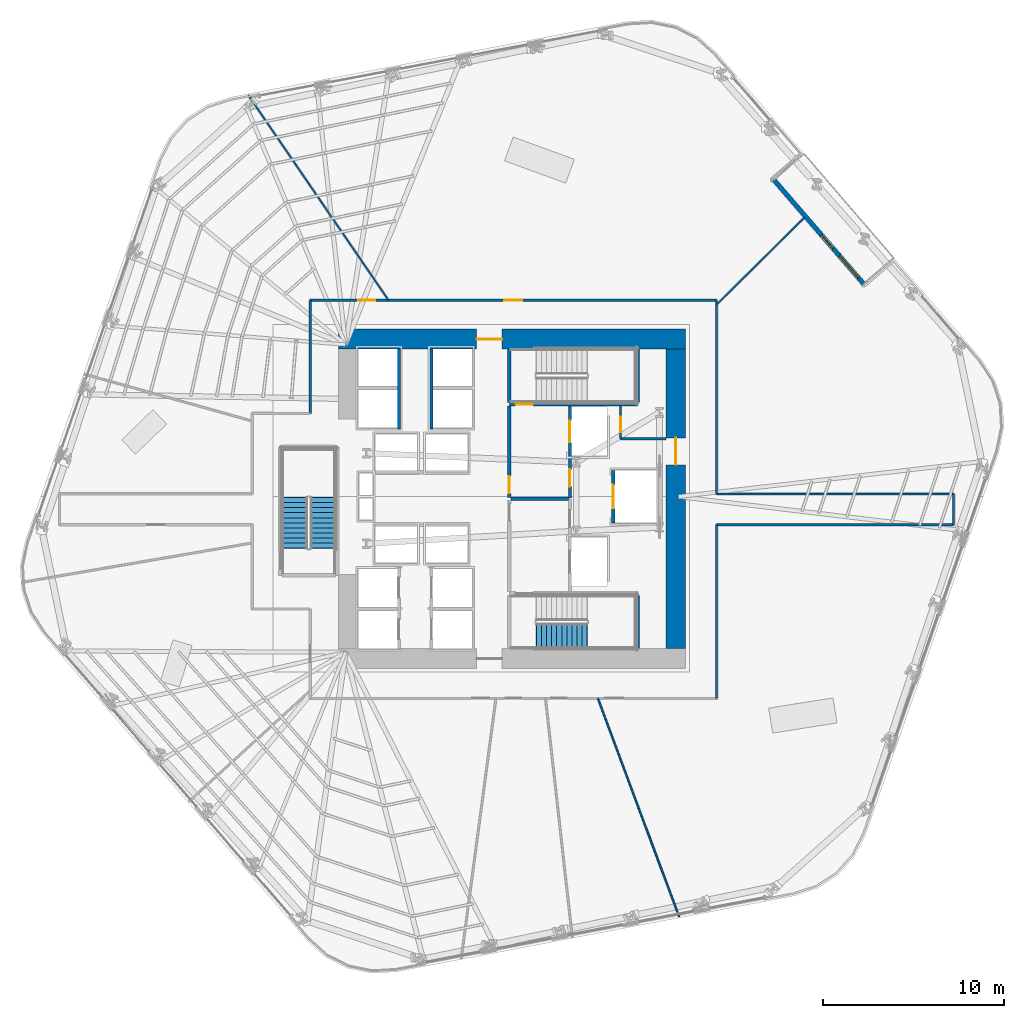
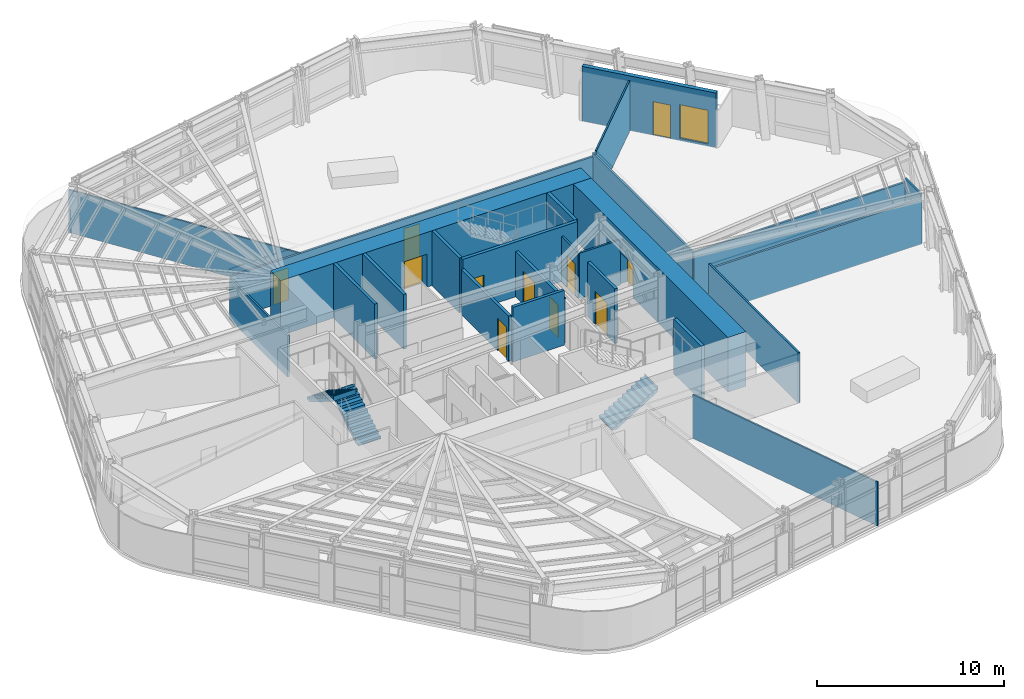
# One storey, part 10 of 18: 25 walls, 11 doors, 3 stair flights, 1 window, 12 openings, 2 elements without a shape of their own.
"""IFC4 building model written with IfcOpenShell, lengths in metres."""

from ifc_helpers import new_model, si_unit, direction, frame, frame_2d, origin, place, context, subcontext, project, spatial, polyline, rectangle, outline, extrude, material, layer, layer_set, type_object, element, fill, aggregate, save


model = new_model("IFC4")

# Units and contexts
model_context = context("Model", 3, precision=1e-05, world=origin(), true_north=direction((0.0, 1.0)))
body_context = subcontext(model_context, "Body", "Model", "MODEL_VIEW")
ifc_project = project(units=[si_unit("LENGTHUNIT", "METRE"), si_unit("AREAUNIT", "SQUARE_METRE"), si_unit("VOLUMEUNIT", "CUBIC_METRE"), si_unit("PLANEANGLEUNIT", "RADIAN"), si_unit("MASSUNIT", "GRAM", prefix="KILO")], contexts=[model_context])

# Site, building, storey
site_placement = place(None, origin())
site = spatial("IfcSite", under=ifc_project, at=site_placement, CompositionType="ELEMENT")
building_placement = place(site_placement, origin())
building = spatial("IfcBuilding", under=site, at=building_placement, Name="Valkerne Bourse Tower", CompositionType="ELEMENT")
storey_placement = place(building_placement, frame((0.0, 0.0, 69.60009765625)))
storey = spatial("IfcBuildingStorey", under=building, at=storey_placement, Name="L17", CompositionType="ELEMENT", Elevation=69.60009765625)

# Wall, opening, door
ifc_material_1 = material(Name="Concrete C70/85", Category="concrete")
ifc_layer_1 = layer(ifc_material_1, 1.10009765625)
ifc_layer_set_1 = layer_set([ifc_layer_1], Name="Concrete C70/85")
wall_type_1 = type_object("IfcWallType", Name="W-CORE-1100", PredefinedType="SHEAR", material=ifc_layer_set_1)
wall_1_placement = place(storey_placement, frame((37.199951171875, 35.699951171875, 0.0), z_axis=(0.0, 0.0, 1.0), x_axis=(1.0, 0.0, 0.0)))
wall_1 = element("IfcWall", 1, at=wall_1_placement, inside=storey, type_object=wall_type_1, Name="L17 Core Shear Wall NORTH", PredefinedType="SHEAR", context=body_context, shape_type="SweptSolid", body=[
    extrude(rectangle(XDim=19.199951171875, YDim=1.10009765625, at=frame_2d((9.60009765625, 0.0))), origin(), (0.0, 0.0, 1.0), 3.579833984375),
])
opening_1_placement = place(wall_1_placement, frame((7.64990234375, 0.0, 0.0)))
opening_1 = element("IfcOpeningElement", 2, at=opening_1_placement, cuts=wall_1, Name="Opening D-PL-1400", PredefinedType="OPENING", context=body_context, shape_type="SweptSolid", body=[
    extrude(rectangle(XDim=1.39990234375, YDim=2.14990234375, at=frame_2d((0.699951171875, 1.074951171875))), frame((0.0, 0.56005859375, 0.0), z_axis=(0.0, -1.0, 0.0), x_axis=(1.0, 0.0, 0.0)), (0.0, 0.0, 1.0), 1.1201171875),
])
ifc_material_2 = material(Name="Galvanised Painted Steel", Category="steel")
door_type_1 = type_object("IfcDoorType", Name="DR-PLT-1400", OperationType="DOUBLE_DOOR_SINGLE_SWING", PredefinedType="DOOR", material=ifc_material_2)
door_1_placement = place(opening_1_placement, origin())
door_1 = element("IfcDoor", 3, at=door_1_placement, inside=storey, type_object=door_type_1, Name="L17 North Passenger Lift Hall Fire Door", OperationType="DOUBLE_DOOR_SINGLE_SWING", OverallHeight=2.14990234375, OverallWidth=1.39990234375, PredefinedType="DOOR", context=body_context, shape_type="SweptSolid", body=[
    extrude(rectangle(XDim=1.39990234375, YDim=2.14990234375, at=frame_2d((0.699951171875, 1.074951171875))), frame((0.0, 0.02490234375, 0.0), z_axis=(0.0, -1.0, 0.0), x_axis=(1.0, 0.0, 0.0)), (0.0, 0.0, 1.0), 0.050048828125),
])
fill(opening_1, door_1)

wall_2_placement = place(storey_placement, frame((55.85009765625, 18.60009765625, 0.0), z_axis=(0.0, 0.0, 1.0), x_axis=(0.0, 1.0, 0.0)))
wall_2 = element("IfcWall", 4, at=wall_2_placement, inside=storey, type_object=wall_type_1, Name="L17 Core Shear Wall EAST", PredefinedType="SHEAR", context=body_context, shape_type="SweptSolid", body=[
    extrude(rectangle(XDim=16.5498046875, YDim=1.10009765625, at=frame_2d((8.27490234375, 0.0))), origin(), (0.0, 0.0, 1.0), 3.579833984375),
])
opening_2_placement = place(wall_2_placement, frame((10.14990234375, 0.0, 0.0)))
opening_2 = element("IfcOpeningElement", 5, at=opening_2_placement, cuts=wall_2, Name="Opening D-CR-1500", PredefinedType="OPENING", context=body_context, shape_type="SweptSolid", body=[
    extrude(rectangle(XDim=1.5, YDim=2.14990234375, at=frame_2d((0.75, 1.074951171875))), frame((0.0, 0.56005859375, 0.0), z_axis=(0.0, -1.0, 0.0), x_axis=(1.0, 0.0, 0.0)), (0.0, 0.0, 1.0), 1.1201171875),
])
door_type_2 = type_object("IfcDoorType", Name="DR-CORR-1500", OperationType="DOUBLE_DOOR_SINGLE_SWING", PredefinedType="DOOR", material=ifc_material_2)
door_2_placement = place(opening_2_placement, origin())
door_2 = element("IfcDoor", 6, at=door_2_placement, inside=storey, type_object=door_type_2, Name="L17 East Core Service Lobby Fire Door", OperationType="DOUBLE_DOOR_SINGLE_SWING", OverallHeight=2.14990234375, OverallWidth=1.5, PredefinedType="DOOR", context=body_context, shape_type="SweptSolid", body=[
    extrude(rectangle(XDim=1.5, YDim=2.14990234375, at=frame_2d((0.75, 1.074951171875))), frame((0.0, 0.02490234375, 0.0), z_axis=(0.0, -1.0, 0.0), x_axis=(1.0, 0.0, 0.0)), (0.0, 0.0, 1.0), 0.050048828125),
])
fill(opening_2, door_2)

ifc_material_3 = material(Name="Gypsum Board Steel-Stud Partition", Category="steel")
ifc_layer_2 = layer(ifc_material_3, 0.117919921875)
ifc_layer_set_2 = layer_set([ifc_layer_2], Name="Gypsum Board Steel-Stud Partition")
wall_type_2 = type_object("IfcWallType", Name="W-CORR-140", PredefinedType="PARTITIONING", material=ifc_layer_set_2)
wall_3_placement = place(storey_placement, frame((52.800048828125, 30.199951171875, 0.0), z_axis=(0.0, 0.0, 1.0), x_axis=(0.0, 1.0, 0.0)))
wall_3 = element("IfcWall", 7, at=wall_3_placement, inside=storey, type_object=wall_type_2, Name="L17 Core NE Bay West Wall", PredefinedType="PARTITIONING", context=body_context, shape_type="SweptSolid", body=[
    extrude(rectangle(XDim=1.820068359375, YDim=0.117919921875, at=frame_2d((0.91015625, 0.0))), origin(), (0.0, 0.0, 1.0), 2.957763671875),
])
opening_3_placement = place(wall_3_placement, frame((0.35009765625, 0.0, 0.0)))
opening_3 = element("IfcOpeningElement", 8, at=opening_3_placement, cuts=wall_3, Name="Opening D-WC-900", PredefinedType="OPENING", context=body_context, shape_type="SweptSolid", body=[
    extrude(rectangle(XDim=0.860107421875, YDim=2.050048828125, at=frame_2d((0.43017578125, 1.02490234375))), frame((0.0, 0.06884765625, 0.0), z_axis=(0.0, -1.0, 0.0), x_axis=(1.0, 0.0, 0.0)), (0.0, 0.0, 1.0), 0.137939453125),
])
ifc_material_4 = material(Name="Architectural White Oak Timber", Category="wood")
door_type_3 = type_object("IfcDoorType", Name="DR-WC-900", OperationType="NOTDEFINED", PredefinedType="DOOR", material=ifc_material_4)
door_3_placement = place(opening_3_placement, origin())
door_3 = element("IfcDoor", 9, at=door_3_placement, inside=storey, type_object=door_type_3, Name="L17 Electrical Closet Door", OperationType="SINGLE_SWING_RIGHT", OverallHeight=2.050048828125, OverallWidth=0.860107421875, PredefinedType="DOOR", context=body_context, shape_type="SweptSolid", body=[
    extrude(rectangle(XDim=0.860107421875, YDim=2.050048828125, at=frame_2d((0.43017578125, 1.02490234375))), frame((0.0, 0.02490234375, 0.0), z_axis=(0.0, -1.0, 0.0), x_axis=(1.0, 0.0, 0.0)), (0.0, 0.0, 1.0), 0.050048828125),
])
fill(opening_3, door_3)

# Walls
wall_4_placement = place(storey_placement, frame((52.800048828125, 30.199951171875, 0.0), z_axis=(0.0, 0.0, 1.0), x_axis=(1.0, 0.0, 0.0)))
element("IfcWall", 10, at=wall_4_placement, inside=storey, type_object=wall_type_2, Name="L17 Core NE Bay South Wall", PredefinedType="PARTITIONING", context=body_context, shape_type="SweptSolid", body=[
    extrude(rectangle(XDim=2.52001953125, YDim=0.117919921875, at=frame_2d((1.260009765625, 0.0))), origin(), (0.0, 0.0, 1.0), 2.957763671875),
])
wall_5_placement = place(storey_placement, frame((58.10009765625, 27.14990234375, 0.0), z_axis=(0.0, 0.0, 1.0), x_axis=(1.0, 0.0, 0.0)))
element("IfcWall", 11, at=wall_5_placement, inside=storey, type_object=wall_type_2, Name="L17 Corridor Enclosure Wall", PredefinedType="PARTITIONING", context=body_context, shape_type="SweptSolid", body=[
    extrude(rectangle(XDim=13.099853515625, YDim=0.117919921875, at=frame_2d((6.5498046875, 0.0))), origin(), (0.0, 0.0, 1.0), 3.021240234375),
])
wall_6_placement = place(storey_placement, frame((71.199951171875, 27.14990234375, 0.0), z_axis=(0.0, 0.0, 1.0), x_axis=(0.0, -1.0, 0.0)))
element("IfcWall", 12, at=wall_6_placement, inside=storey, type_object=wall_type_2, Name="L17 Corridor Enclosure Wall", PredefinedType="PARTITIONING", context=body_context, shape_type="SweptSolid", body=[
    extrude(rectangle(XDim=1.699951171875, YDim=0.117919921875, at=frame_2d((0.85009765625, 0.0))), origin(), (0.0, 0.0, 1.0), 3.260009765625),
])
wall_7_placement = place(storey_placement, frame((71.199951171875, 25.449951171875, 0.0), z_axis=(0.0, 0.0, 1.0), x_axis=(-1.0, 0.0, 0.0)))
element("IfcWall", 13, at=wall_7_placement, inside=storey, type_object=wall_type_2, Name="L17 Corridor Enclosure Wall", PredefinedType="PARTITIONING", context=body_context, shape_type="SweptSolid", body=[
    extrude(rectangle(XDim=13.099853515625, YDim=0.117919921875, at=frame_2d((6.5498046875, 0.0))), origin(), (0.0, 0.0, 1.0), 2.962890625),
])
wall_8_placement = place(storey_placement, frame((58.10009765625, 25.449951171875, 0.0), z_axis=(0.0, 0.0, 1.0), x_axis=(0.0, -1.0, 0.0)))
element("IfcWall", 14, at=wall_8_placement, inside=storey, type_object=wall_type_2, Name="L17 Corridor Enclosure Wall", PredefinedType="PARTITIONING", context=body_context, shape_type="SweptSolid", body=[
    extrude(rectangle(XDim=9.599853515625, YDim=0.117919921875, at=frame_2d((4.7998046875, 0.0))), origin(), (0.0, 0.0, 1.0), 3.27978515625),
])
wall_9_placement = place(storey_placement, frame((35.64990234375, 31.60009765625, 0.0), z_axis=(0.0, 0.0, 1.0), x_axis=(0.0, 1.0, 0.0)))
element("IfcWall", 15, at=wall_9_placement, inside=storey, type_object=wall_type_2, Name="L17 Corridor Enclosure Wall", PredefinedType="PARTITIONING", context=body_context, shape_type="SweptSolid", body=[
    extrude(rectangle(XDim=6.25, YDim=0.117919921875, at=frame_2d((3.125, 0.0))), origin(), (0.0, 0.0, 1.0), 2.71142578125),
])

# Wall, openings, doors
wall_10_placement = place(storey_placement, frame((35.64990234375, 37.85009765625, 0.0), z_axis=(0.0, 0.0, 1.0), x_axis=(1.0, 0.0, 0.0)))
wall_10 = element("IfcWall", 16, at=wall_10_placement, inside=storey, type_object=wall_type_2, Name="L17 Corridor Enclosure Wall", PredefinedType="PARTITIONING", context=body_context, shape_type="SweptSolid", body=[
    extrude(rectangle(XDim=22.4501953125, YDim=0.117919921875, at=frame_2d((11.22509765625, 0.0))), origin(), (0.0, 0.0, 1.0), 2.80029296875),
])
opening_4_placement = place(wall_10_placement, frame((2.64990234375, 0.0, 0.0)))
opening_4 = element("IfcOpeningElement", 17, at=opening_4_placement, cuts=wall_10, Name="Opening D-OF-950", PredefinedType="OPENING", context=body_context, shape_type="SweptSolid", body=[
    extrude(rectangle(XDim=0.949951171875, YDim=2.10009765625, at=frame_2d((0.47509765625, 1.050048828125))), frame((0.0, 0.06884765625, 0.0), z_axis=(0.0, -1.0, 0.0), x_axis=(1.0, 0.0, 0.0)), (0.0, 0.0, 1.0), 0.137939453125),
])
opening_5_placement = place(wall_10_placement, frame((10.72509765625, 0.0, 0.0)))
opening_5 = element("IfcOpeningElement", 18, at=opening_5_placement, cuts=wall_10, Name="Opening D-MG-1000", PredefinedType="OPENING", context=body_context, shape_type="SweptSolid", body=[
    extrude(rectangle(XDim=1.0, YDim=2.14990234375, at=frame_2d((0.5, 1.074951171875))), frame((0.0, 0.06884765625, 0.0), z_axis=(0.0, -1.0, 0.0), x_axis=(1.0, 0.0, 0.0)), (0.0, 0.0, 1.0), 0.137939453125),
])
ifc_material_5 = material(Name="Laminated Tempered Safety Glass", Category="glass")
door_type_4 = type_object("IfcDoorType", Name="DR-MTG-1000", OperationType="NOTDEFINED", PredefinedType="DOOR", material=ifc_material_5)
door_4_placement = place(opening_5_placement, origin())
door_4 = element("IfcDoor", 19, at=door_4_placement, inside=storey, type_object=door_type_4, Name="L17 L17 Client Strategy Conference Room 7 Door", OperationType="SINGLE_SWING_LEFT", OverallHeight=2.14990234375, OverallWidth=1.0, PredefinedType="DOOR", context=body_context, shape_type="SweptSolid", body=[
    extrude(rectangle(XDim=1.0, YDim=2.14990234375, at=frame_2d((0.5, 1.074951171875))), frame((0.0, 0.02490234375, 0.0), z_axis=(0.0, -1.0, 0.0), x_axis=(1.0, 0.0, 0.0)), (0.0, 0.0, 1.0), 0.050048828125),
])
fill(opening_5, door_4)
door_type_5 = type_object("IfcDoorType", Name="DR-OFF-950", OperationType="NOTDEFINED", PredefinedType="DOOR", material=ifc_material_4)
door_5_placement = place(opening_4_placement, origin())
door_5 = element("IfcDoor", 20, at=door_5_placement, inside=storey, type_object=door_type_5, Name="L17 L17 Hospitality Catering Kitchen 5 Door", OperationType="SINGLE_SWING_LEFT", OverallHeight=2.10009765625, OverallWidth=0.949951171875, PredefinedType="DOOR", context=body_context, shape_type="SweptSolid", body=[
    extrude(rectangle(XDim=0.949951171875, YDim=2.10009765625, at=frame_2d((0.47509765625, 1.050048828125))), frame((0.0, 0.02490234375, 0.0), z_axis=(0.0, -1.0, 0.0), x_axis=(1.0, 0.0, 0.0)), (0.0, 0.0, 1.0), 0.050048828125),
])
fill(opening_4, door_5)

# Wall
wall_11_placement = place(storey_placement, frame((58.10009765625, 37.85009765625, 0.0), z_axis=(0.0, 0.0, 1.0), x_axis=(0.0, -1.0, 0.0)))
element("IfcWall", 21, at=wall_11_placement, inside=storey, type_object=wall_type_2, Name="L17 Corridor Enclosure Wall", PredefinedType="PARTITIONING", context=body_context, shape_type="SweptSolid", body=[
    extrude(rectangle(XDim=10.7001953125, YDim=0.117919921875, at=frame_2d((5.35009765625, 0.0))), origin(), (0.0, 0.0, 1.0), 3.021240234375),
])

# Wall, openings, door, window
ifc_material_6 = material(Name="Bronze Anodised Aluminium AA 6063-T6", Category="aluminium")
ifc_layer_3 = layer(ifc_material_6, 0.25)
ifc_layer_set_3 = layer_set([ifc_layer_3], Name="Bronze Anodised Aluminium AA 6063-T6")
wall_type_3 = type_object("IfcWallType", Name="W-EXT-TER-250", PredefinedType="STANDARD", material=ifc_layer_set_3)
wall_12_placement = place(storey_placement, frame((66.236083984375, 38.7568359375, 0.0), z_axis=(0.0, 0.0, 1.0), x_axis=(-0.653424978527, 0.756991279631, 0.0)))
wall_12 = element("IfcWall", 22, at=wall_12_placement, inside=storey, type_object=wall_type_3, Name="L17 V-Notch Terrace Glazed Access Wall", PredefinedType="STANDARD", context=body_context, shape_type="SweptSolid", body=[
    extrude(rectangle(XDim=7.60009765625, YDim=0.25, at=frame_2d((3.800048828125, 0.0))), origin(), (0.0, 0.0, 1.0), 3.579833984375),
])
opening_6_placement = place(wall_12_placement, frame((2.56005859375, 0.0, 0.0)))
opening_6 = element("IfcOpeningElement", 23, at=opening_6_placement, cuts=wall_12, Name="Opening DT-1000", PredefinedType="OPENING", context=body_context, shape_type="SweptSolid", body=[
    extrude(rectangle(XDim=1.0, YDim=2.199951171875, at=frame_2d((0.5, 1.10009765625))), frame((0.0, 0.135009765625, 0.0), z_axis=(0.0, -1.0, 0.0), x_axis=(1.0, 0.0, 0.0)), (0.0, 0.0, 1.0), 0.27001953125),
])
opening_7_placement = place(wall_12_placement, frame((0.449951171875, 0.0, 0.14990234375)))
opening_7 = element("IfcOpeningElement", 24, at=opening_7_placement, cuts=wall_12, Name="Opening WN-04", PredefinedType="OPENING", context=body_context, shape_type="SweptSolid", body=[
    extrude(rectangle(XDim=1.60009765625, YDim=2.199951171875, at=frame_2d((0.800048828125, 1.10009765625))), frame((0.0, 0.135009765625, 0.0), z_axis=(0.0, -1.0, 0.0), x_axis=(1.0, 0.0, 0.0)), (0.0, 0.0, 1.0), 0.27001953125),
])
ifc_material_7 = material(Name="Glass IGU Low-E Double Glazed", Category="glass")
door_type_6 = type_object("IfcDoorType", Name="DR-EXT-TER-1000", OperationType="NOTDEFINED", PredefinedType="DOOR", material=ifc_material_7)
door_6_placement = place(opening_6_placement, origin())
door_6 = element("IfcDoor", 25, at=door_6_placement, inside=storey, type_object=door_type_6, Name="L17 V-Notch Outdoor Terrace Access Door", OperationType="SINGLE_SWING_RIGHT", OverallHeight=2.199951171875, OverallWidth=1.0, PredefinedType="DOOR", context=body_context, shape_type="SweptSolid", body=[
    extrude(rectangle(XDim=1.0, YDim=2.199951171875, at=frame_2d((0.5, 1.10009765625))), frame((0.0, 0.02490234375, 0.0), z_axis=(0.0, -1.0, 0.0), x_axis=(1.0, 0.0, 0.0)), (0.0, 0.0, 1.0), 0.050048828125),
])
fill(opening_6, door_6)
window_type = type_object("IfcWindowType", Name="WIN-TER-1600X2200", PartitioningType="SINGLE_PANEL", PredefinedType="WINDOW", material=ifc_material_7)
window_placement = place(opening_7_placement, origin())
window = element("IfcWindow", 26, at=window_placement, inside=storey, type_object=window_type, Name="L17 V-Notch Terrace Sidelight Window", OverallHeight=2.199951171875, OverallWidth=1.60009765625, PartitioningType="SINGLE_PANEL", PredefinedType="WINDOW", context=body_context, shape_type="SweptSolid", body=[
    extrude(rectangle(XDim=1.60009765625, YDim=2.199951171875, at=frame_2d((0.800048828125, 1.10009765625))), frame((0.0, 0.030029296875, 0.0), z_axis=(0.0, -1.0, 0.0), x_axis=(1.0, 0.0, 0.0)), (0.0, 0.0, 1.0), 0.06005859375),
])
fill(opening_7, window)

# Wall
ifc_material_8 = material(Name="Gypsum Fire-Rated Shaftwall", Category="gypsum")
ifc_layer_4 = layer(ifc_material_8, 0.179931640625)
ifc_layer_set_4 = layer_set([ifc_layer_4], Name="Gypsum Fire-Rated Shaftwall")
wall_type_4 = type_object("IfcWallType", Name="W-FSAE-180", PredefinedType="PARTITIONING", material=ifc_layer_set_4)
wall_13_placement = place(storey_placement, frame((46.739990234375, 26.8798828125, 0.0), z_axis=(0.0, 0.0, 1.0), x_axis=(1.0, 0.0, 0.0)))
element("IfcWall", 27, at=wall_13_placement, inside=storey, type_object=wall_type_4, Name="L17 FSAE-1/2 Lobby Dividing Fire Wall", PredefinedType="PARTITIONING", context=body_context, shape_type="SweptSolid", body=[
    extrude(rectangle(XDim=3.169921875, YDim=0.179931640625, at=frame_2d((1.5849609375, 0.0))), origin(), (0.0, 0.0, 1.0), 3.579833984375),
])

# Wall, opening, door
wall_14_placement = place(storey_placement, frame((46.64990234375, 26.9599609375, 0.0), z_axis=(0.0, 0.0, 1.0), x_axis=(0.0, 1.0, 0.0)))
wall_14 = element("IfcWall", 28, at=wall_14_placement, inside=storey, type_object=wall_type_4, Name="L17 FSAE-2 Lobby West Fire Wall", PredefinedType="PARTITIONING", context=body_context, shape_type="SweptSolid", body=[
    extrude(rectangle(XDim=5.0400390625, YDim=0.179931640625, at=frame_2d((2.52001953125, 0.0))), origin(), (0.0, 0.0, 1.0), 2.957763671875),
])
opening_8_placement = place(wall_14_placement, frame((0.219970703125, 0.0, 0.0)))
opening_8 = element("IfcOpeningElement", 29, at=opening_8_placement, cuts=wall_14, Name="Opening D-FS-950", PredefinedType="OPENING", context=body_context, shape_type="SweptSolid", body=[
    extrude(rectangle(XDim=0.949951171875, YDim=2.10009765625, at=frame_2d((0.47509765625, 1.050048828125))), frame((0.0, 0.099853515625, 0.0), z_axis=(0.0, -1.0, 0.0), x_axis=(1.0, 0.0, 0.0)), (0.0, 0.0, 1.0), 0.199951171875),
])
door_type_7 = type_object("IfcDoorType", Name="DR-FSAE-950", OperationType="NOTDEFINED", PredefinedType="DOOR", material=ifc_material_2)
door_7_placement = place(opening_8_placement, origin())
door_7 = element("IfcDoor", 30, at=door_7_placement, inside=storey, type_object=door_type_7, Name="L17 FSAE-2 Hall Link Fire Door", OperationType="SINGLE_SWING_RIGHT", OverallHeight=2.10009765625, OverallWidth=0.949951171875, PredefinedType="DOOR", context=body_context, shape_type="SweptSolid", body=[
    extrude(rectangle(XDim=0.949951171875, YDim=2.10009765625, at=frame_2d((0.47509765625, 1.050048828125))), frame((0.0, 0.02490234375, 0.0), z_axis=(0.0, -1.0, 0.0), x_axis=(1.0, 0.0, 0.0)), (0.0, 0.0, 1.0), 0.050048828125),
])
fill(opening_8, door_7)

# Wall, openings, doors
wall_15_placement = place(storey_placement, frame((50.0, 26.919921875, 0.0), z_axis=(0.0, 0.0, 1.0), x_axis=(0.0, 1.0, 0.0)))
wall_15 = element("IfcWall", 31, at=wall_15_placement, inside=storey, type_object=wall_type_4, Name="L17 FSAE-2 Lobby & Shaft Front Wall", PredefinedType="PARTITIONING", context=body_context, shape_type="SweptSolid", body=[
    extrude(rectangle(XDim=5.080078125, YDim=0.179931640625, at=frame_2d((2.5400390625, 0.0))), origin(), (0.0, 0.0, 1.0), 2.957763671875),
])
opening_9_placement = place(wall_15_placement, frame((3.080078125, 0.0, 0.0)))
opening_9 = element("IfcOpeningElement", 32, at=opening_9_placement, cuts=wall_15, Name="Opening LD-1200", PredefinedType="OPENING", context=body_context, shape_type="SweptSolid", body=[
    extrude(rectangle(XDim=1.199951171875, YDim=2.14990234375, at=frame_2d((0.60009765625, 1.074951171875))), frame((0.0, 0.099853515625, 0.0), z_axis=(0.0, -1.0, 0.0), x_axis=(1.0, 0.0, 0.0)), (0.0, 0.0, 1.0), 0.199951171875),
])
opening_10_placement = place(wall_15_placement, frame((0.6298828125, 0.0, 0.0)))
opening_10 = element("IfcOpeningElement", 33, at=opening_10_placement, cuts=wall_15, Name="Opening D-FS-950", PredefinedType="OPENING", context=body_context, shape_type="SweptSolid", body=[
    extrude(rectangle(XDim=0.949951171875, YDim=2.10009765625, at=frame_2d((0.47509765625, 1.050048828125))), frame((0.0, 0.099853515625, 0.0), z_axis=(0.0, -1.0, 0.0), x_axis=(1.0, 0.0, 0.0)), (0.0, 0.0, 1.0), 0.199951171875),
])
door_8_placement = place(opening_10_placement, origin())
door_8 = element("IfcDoor", 34, at=door_8_placement, inside=storey, type_object=door_type_7, Name="L17 FSAE-2 Lobby Corridor Fire Door", OperationType="SINGLE_SWING_RIGHT", OverallHeight=2.10009765625, OverallWidth=0.949951171875, PredefinedType="DOOR", context=body_context, shape_type="SweptSolid", body=[
    extrude(rectangle(XDim=0.949951171875, YDim=2.10009765625, at=frame_2d((0.47509765625, 1.050048828125))), frame((0.0, 0.02490234375, 0.0), z_axis=(0.0, -1.0, 0.0), x_axis=(1.0, 0.0, 0.0)), (0.0, 0.0, 1.0), 0.050048828125),
])
fill(opening_10, door_8)
ifc_material_9 = material(Name="Stainless Steel AISI 316", Category="steel")
door_type_8 = type_object("IfcDoorType", Name="DR-LIFT-1200", OperationType="DOUBLE_DOOR_SLIDING", PredefinedType="DOOR", material=ifc_material_9)
door_9_placement = place(opening_9_placement, origin())
door_9 = element("IfcDoor", 35, at=door_9_placement, inside=storey, type_object=door_type_8, Name="L17 FSAE-2 Firefighting Lift Landing Door", OperationType="DOUBLE_DOOR_SLIDING", OverallHeight=2.14990234375, OverallWidth=1.199951171875, PredefinedType="DOOR", context=body_context, shape_type="SweptSolid", body=[
    extrude(rectangle(XDim=1.199951171875, YDim=2.14990234375, at=frame_2d((0.60009765625, 1.074951171875))), frame((0.0, 0.02490234375, 0.0), z_axis=(0.0, -1.0, 0.0), x_axis=(1.0, 0.0, 0.0)), (0.0, 0.0, 1.0), 0.050048828125),
])
fill(opening_9, door_9)

# Wall, opening, door
ifc_material_10 = material(Name="CMU Blockwork Masonry 200mm", Category="masonry")
ifc_layer_5 = layer(ifc_material_10, 0.179931640625)
ifc_layer_set_5 = layer_set([ifc_layer_5], Name="CMU Blockwork Masonry 200mm")
wall_type_5 = type_object("IfcWallType", Name="W-LFT-180", PredefinedType="SOLIDWALL", material=ifc_layer_set_5)
wall_16_placement = place(storey_placement, frame((52.39990234375, 25.550048828125, 0.0), z_axis=(0.0, 0.0, 1.0), x_axis=(0.0, 1.0, 0.0)))
wall_16 = element("IfcWall", 36, at=wall_16_placement, inside=storey, type_object=wall_type_5, Name="L17 Service Lift SV-1 Front Wall", PredefinedType="SOLIDWALL", context=body_context, shape_type="SweptSolid", body=[
    extrude(rectangle(XDim=2.89990234375, YDim=0.179931640625, at=frame_2d((1.449951171875, 0.0))), origin(), (0.0, 0.0, 1.0), 3.579833984375),
])
opening_11_placement = place(wall_16_placement, frame((0.800048828125, 0.0, 0.0)))
opening_11 = element("IfcOpeningElement", 37, at=opening_11_placement, cuts=wall_16, Name="Opening LD-1300", PredefinedType="OPENING", context=body_context, shape_type="SweptSolid", body=[
    extrude(rectangle(XDim=1.300048828125, YDim=2.14990234375, at=frame_2d((0.64990234375, 1.074951171875))), frame((0.0, 0.099853515625, 0.0), z_axis=(0.0, -1.0, 0.0), x_axis=(1.0, 0.0, 0.0)), (0.0, 0.0, 1.0), 0.199951171875),
])
door_type_9 = type_object("IfcDoorType", Name="DR-LIFT-1300", OperationType="DOUBLE_DOOR_SLIDING", PredefinedType="DOOR", material=ifc_material_9)
door_10_placement = place(opening_11_placement, origin())
door_10 = element("IfcDoor", 38, at=door_10_placement, inside=storey, type_object=door_type_9, Name="L17 Service Lift SV-1 Landing Door", OperationType="DOUBLE_DOOR_SLIDING", OverallHeight=2.14990234375, OverallWidth=1.300048828125, PredefinedType="DOOR", context=body_context, shape_type="SweptSolid", body=[
    extrude(rectangle(XDim=1.300048828125, YDim=2.14990234375, at=frame_2d((0.64990234375, 1.074951171875))), frame((0.0, 0.02490234375, 0.0), z_axis=(0.0, -1.0, 0.0), x_axis=(1.0, 0.0, 0.0)), (0.0, 0.0, 1.0), 0.050048828125),
])
fill(opening_11, door_10)

# Walls
for number, where, z_axis, x_axis, name in (
    (39, (40.550048828125, 30.75, 0.0), (0.0, 0.0, 1.0), (0.0, 1.0, 0.0), "L17 Mid-Zone West Cars Front Wall"),
    (40, (42.35009765625, 30.75, 0.0), (0.0, 0.0, 1.0), (0.0, 1.0, 0.0), "L17 Mid-Zone East Cars Front Wall"),
):
    element("IfcWall", number, at=place(storey_placement, frame(where, z_axis=z_axis, x_axis=x_axis)), inside=storey, type_object=wall_type_5, Name=name, PredefinedType="SOLIDWALL", context=body_context, shape_type="SweptSolid", body=[
        extrude(rectangle(XDim=4.39990234375, YDim=0.179931640625, at=frame_2d((2.199951171875, 0.0))), origin(), (0.0, 0.0, 1.0), 3.579833984375),
    ])
ifc_layer_6 = layer(ifc_material_3, 0.092041015625)
ifc_layer_set_6 = layer_set([ifc_layer_6], Name="Gypsum Board Steel-Stud Partition")
wall_type_6 = type_object("IfcWallType", Name="W-PART-115", PredefinedType="PARTITIONING", material=ifc_layer_set_6)
wall_17_placement = place(storey_placement, frame((51.548583984375, 15.844970703125, 0.0), z_axis=(0.0, 0.0, 1.0), x_axis=(0.348573129202, -0.937281587144, 0.0)))
element("IfcWall", 41, at=wall_17_placement, inside=storey, type_object=wall_type_6, Name="L17 Suite Partition P03", PredefinedType="PARTITIONING", context=body_context, shape_type="SweptSolid", body=[
    extrude(rectangle(XDim=12.85791015625, YDim=0.092041015625, at=frame_2d((6.428955078125, 0.0))), origin(), (0.0, 0.0, 1.0), 2.86376953125),
])
wall_18_placement = place(storey_placement, frame((58.10498046875, 37.60888671875, 0.0), z_axis=(0.0, 0.0, 1.0), x_axis=(0.710270999445, 0.703928339639, 0.0)))
element("IfcWall", 42, at=wall_18_placement, inside=storey, type_object=wall_type_6, Name="L17 Suite Partition P04", PredefinedType="PARTITIONING", context=body_context, shape_type="SweptSolid", body=[
    extrude(rectangle(XDim=6.8515625, YDim=0.092041015625, at=frame_2d((3.42578125, 0.0))), origin(), (0.0, 0.0, 1.0), 3.27978515625),
])
wall_19_placement = place(storey_placement, frame((39.97509765625, 37.85498046875, 0.0), z_axis=(0.0, 0.0, 1.0), x_axis=(-0.564579362869, 0.825378787602, 0.0)))
element("IfcWall", 43, at=wall_19_placement, inside=storey, type_object=wall_type_6, Name="L17 Suite Partition P05", PredefinedType="PARTITIONING", context=body_context, shape_type="SweptSolid", body=[
    extrude(rectangle(XDim=13.729248046875, YDim=0.092041015625, at=frame_2d((6.86474609375, 0.0))), origin(), (0.0, 0.0, 1.0), 2.80029296875),
])
ifc_material_11 = material(Name="Concrete C40/50", Category="concrete")
ifc_layer_7 = layer(ifc_material_11, 0.199951171875)
ifc_layer_set_7 = layer_set([ifc_layer_7], Name="Concrete C40/50")
wall_type_7 = type_object("IfcWallType", Name="W-SHF-200", PredefinedType="SHEAR", material=ifc_layer_set_7)
wall_20_placement = place(storey_placement, frame((53.75, 18.60009765625, 0.0), z_axis=(0.0, 0.0, 1.0), x_axis=(0.0, 1.0, 0.0)))
element("IfcWall", 44, at=wall_20_placement, inside=storey, type_object=wall_type_7, Name="L17 Exit Stair ST-1 Structural Shaft Wall East", PredefinedType="SHEAR", context=body_context, shape_type="SweptSolid", body=[
    extrude(rectangle(XDim=2.949951171875, YDim=0.199951171875, at=frame_2d((1.47509765625, 0.0))), origin(), (0.0, 0.0, 1.0), 3.579833984375),
])

# Wall, opening, door
wall_21_placement = place(storey_placement, frame((46.64990234375, 32.10009765625, 0.0), z_axis=(0.0, 0.0, 1.0), x_axis=(1.0, 0.0, 0.0)))
wall_21 = element("IfcWall", 45, at=wall_21_placement, inside=storey, type_object=wall_type_7, Name="L17 Exit Stair ST-2 Structural Shaft Wall South", PredefinedType="SHEAR", context=body_context, shape_type="SweptSolid", body=[
    extrude(rectangle(XDim=7.10009765625, YDim=0.199951171875, at=frame_2d((3.550048828125, 0.0))), origin(), (0.0, 0.0, 1.0), 3.579833984375),
])
opening_12_placement = place(wall_21_placement, frame((0.35009765625, 0.0, 0.0)))
opening_12 = element("IfcOpeningElement", 46, at=opening_12_placement, cuts=wall_21, Name="Opening D-ST-950", PredefinedType="OPENING", context=body_context, shape_type="SweptSolid", body=[
    extrude(rectangle(XDim=0.949951171875, YDim=2.10009765625, at=frame_2d((0.47509765625, 1.050048828125))), frame((0.0, 0.10986328125, 0.0), z_axis=(0.0, -1.0, 0.0), x_axis=(1.0, 0.0, 0.0)), (0.0, 0.0, 1.0), 0.219970703125),
])
door_type_10 = type_object("IfcDoorType", Name="DR-STAIR-950", OperationType="NOTDEFINED", PredefinedType="DOOR", material=ifc_material_2)
door_11_placement = place(opening_12_placement, origin())
door_11 = element("IfcDoor", 47, at=door_11_placement, inside=storey, type_object=door_type_10, Name="L17 Exit Stair ST-2 Door", OperationType="SINGLE_SWING_RIGHT", OverallHeight=2.10009765625, OverallWidth=0.949951171875, PredefinedType="DOOR", context=body_context, shape_type="SweptSolid", body=[
    extrude(rectangle(XDim=0.949951171875, YDim=2.10009765625, at=frame_2d((0.47509765625, 1.050048828125))), frame((0.0, 0.02490234375, 0.0), z_axis=(0.0, -1.0, 0.0), x_axis=(1.0, 0.0, 0.0)), (0.0, 0.0, 1.0), 0.050048828125),
])
fill(opening_12, door_11)

# Walls
for number, where, z_axis, x_axis, name in (
    (48, (46.64990234375, 32.199951171875, 0.0), (0.0, 0.0, 1.0), (0.0, 1.0, 0.0), "L17 Exit Stair ST-2 Structural Shaft Wall West"),
    (49, (53.75, 32.199951171875, 0.0), (0.0, 0.0, 1.0), (0.0, 1.0, 0.0), "L17 Exit Stair ST-2 Structural Shaft Wall East"),
):
    element("IfcWall", number, at=place(storey_placement, frame(where, z_axis=z_axis, x_axis=x_axis)), inside=storey, type_object=wall_type_7, Name=name, PredefinedType="SHEAR", context=body_context, shape_type="SweptSolid", body=[
        extrude(rectangle(XDim=2.949951171875, YDim=0.199951171875, at=frame_2d((1.47509765625, 0.0))), origin(), (0.0, 0.0, 1.0), 3.579833984375),
    ])

# Stair, stair flight
stair_type = type_object("IfcStairType", Name="ST-CORE-1400", PredefinedType="HALF_TURN_STAIR", material=ifc_material_11)
stair_1_placement = place(storey_placement, origin())
stair_1 = element("IfcStair", 50, at=stair_1_placement, inside=storey, type_object=stair_type, Name="L17 ST-1", PredefinedType="HALF_TURN_STAIR")
stair_flight_type = type_object("IfcStairFlightType", Name="STF-CORE-1400", PredefinedType="STRAIGHT", material=ifc_material_11)
stair_flight_1_placement = place(storey_placement, frame((48.14990234375, 19.300048828125, 0.0), z_axis=(0.0, 0.0, 1.0), x_axis=(1.0, 0.0, 0.0)))
stair_flight_1 = element("IfcStairFlight", 51, at=stair_flight_1_placement, type_object=stair_flight_type, Name="ST-1 flight 1", NumberOfRisers=11, NumberOfTreads=10, PredefinedType="STRAIGHT", RiserHeight=0.172727273, TreadLength=0.28, context=body_context, shape_type="SweptSolid", body=[
    extrude(outline(polyline([(-0.02001953125, 0.0), (-0.02001953125, 0.044921875), (0.0, 0.044921875), (0.0, 0.172607421875), (0.280029296875, 0.172607421875), (0.280029296875, 0.345458984375), (0.56005859375, 0.345458984375), (0.56005859375, 0.51806640625), (0.840087890625, 0.51806640625), (0.840087890625, 0.69091796875), (1.1201171875, 0.69091796875), (1.1201171875, 0.863525390625), (1.39990234375, 0.863525390625), (1.39990234375, 1.036376953125), (1.679931640625, 1.036376953125), (1.679931640625, 1.208984375), (1.9599609375, 1.208984375), (1.9599609375, 1.3818359375), (2.239990234375, 1.3818359375), (2.239990234375, 1.554443359375), (2.52001953125, 1.554443359375), (2.52001953125, 1.727294921875), (2.800048828125, 1.727294921875), (2.800048828125, 1.89990234375), (2.820068359375, 1.89990234375), (2.820068359375, 1.780029296875), (2.800048828125, 1.551025390625), (0.285400390625, 0.0), (-0.02001953125, 0.0)])), frame((0.0, 0.699951171875, 0.0), z_axis=(0.0, -1.0, 0.0), x_axis=(1.0, 0.0, 0.0)), (0.0, 0.0, 1.0), 1.39990234375),
])
aggregate(stair_1, [stair_flight_1])

# Stair, stair flights
stair_2_placement = place(storey_placement, origin())
stair_2 = element("IfcStair", 52, at=stair_2_placement, inside=storey, type_object=stair_type, Name="L17 ST-3", PredefinedType="HALF_TURN_STAIR")
stair_flight_2_placement = place(storey_placement, frame((36.35009765625, 24.14990234375, 0.0), z_axis=(0.0, 0.0, 1.0), x_axis=(0.0, 1.0, 0.0)))
stair_flight_2 = element("IfcStairFlight", 53, at=stair_flight_2_placement, type_object=stair_flight_type, Name="ST-3 flight 1", NumberOfRisers=11, NumberOfTreads=10, PredefinedType="STRAIGHT", RiserHeight=0.172727273, TreadLength=0.28, context=body_context, shape_type="SweptSolid", body=[
    extrude(outline(polyline([(-0.02001953125, 0.0), (-0.02001953125, 0.044921875), (0.0, 0.044921875), (0.0, 0.172607421875), (0.280029296875, 0.172607421875), (0.280029296875, 0.345458984375), (0.56005859375, 0.345458984375), (0.56005859375, 0.51806640625), (0.840087890625, 0.51806640625), (0.840087890625, 0.69091796875), (1.1201171875, 0.69091796875), (1.1201171875, 0.863525390625), (1.39990234375, 0.863525390625), (1.39990234375, 1.036376953125), (1.679931640625, 1.036376953125), (1.679931640625, 1.208984375), (1.9599609375, 1.208984375), (1.9599609375, 1.3818359375), (2.239990234375, 1.3818359375), (2.239990234375, 1.554443359375), (2.52001953125, 1.554443359375), (2.52001953125, 1.727294921875), (2.800048828125, 1.727294921875), (2.800048828125, 1.89990234375), (2.820068359375, 1.89990234375), (2.820068359375, 1.780029296875), (2.800048828125, 1.551025390625), (0.285400390625, 0.0), (-0.02001953125, 0.0)])), frame((0.0, 0.699951171875, 0.0), z_axis=(0.0, -1.0, 0.0), x_axis=(1.0, 0.0, 0.0)), (0.0, 0.0, 1.0), 1.39990234375),
])
stair_flight_3_placement = place(storey_placement, frame((34.800048828125, 26.949951171875, 1.89990234375), z_axis=(0.0, 0.0, 1.0), x_axis=(0.0, -1.0, 0.0)))
stair_flight_3 = element("IfcStairFlight", 54, at=stair_flight_3_placement, type_object=stair_flight_type, Name="ST-3 flight 2", NumberOfRisers=11, NumberOfTreads=10, PredefinedType="STRAIGHT", RiserHeight=0.172727273, TreadLength=0.28, context=body_context, shape_type="SweptSolid", body=[
    extrude(outline(polyline([(-0.02001953125, 0.0), (-0.02001953125, 0.044921875), (0.0, 0.044921875), (0.0, 0.172607421875), (0.280029296875, 0.172607421875), (0.280029296875, 0.345458984375), (0.56005859375, 0.345458984375), (0.56005859375, 0.51806640625), (0.840087890625, 0.51806640625), (0.840087890625, 0.69091796875), (1.1201171875, 0.69091796875), (1.1201171875, 0.863525390625), (1.39990234375, 0.863525390625), (1.39990234375, 1.036376953125), (1.679931640625, 1.036376953125), (1.679931640625, 1.208984375), (1.9599609375, 1.208984375), (1.9599609375, 1.3818359375), (2.239990234375, 1.3818359375), (2.239990234375, 1.554443359375), (2.52001953125, 1.554443359375), (2.52001953125, 1.727294921875), (2.800048828125, 1.727294921875), (2.800048828125, 1.89990234375), (2.820068359375, 1.89990234375), (2.820068359375, 1.780029296875), (2.800048828125, 1.551025390625), (0.285400390625, 0.0), (-0.02001953125, 0.0)])), frame((0.0, 0.699951171875, 0.0), z_axis=(0.0, -1.0, 0.0), x_axis=(1.0, 0.0, 0.0)), (0.0, 0.0, 1.0), 1.39990234375),
])
aggregate(stair_2, [stair_flight_2, stair_flight_3])

save(model, "model.ifc")
